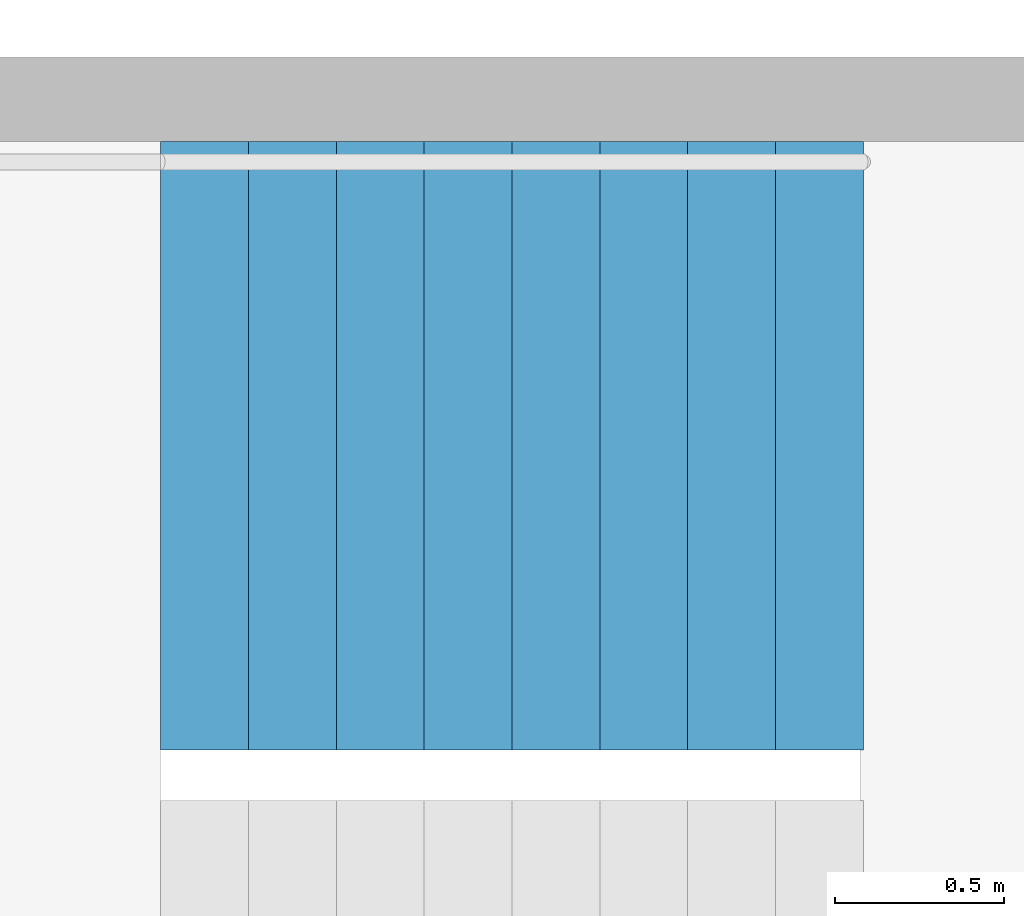
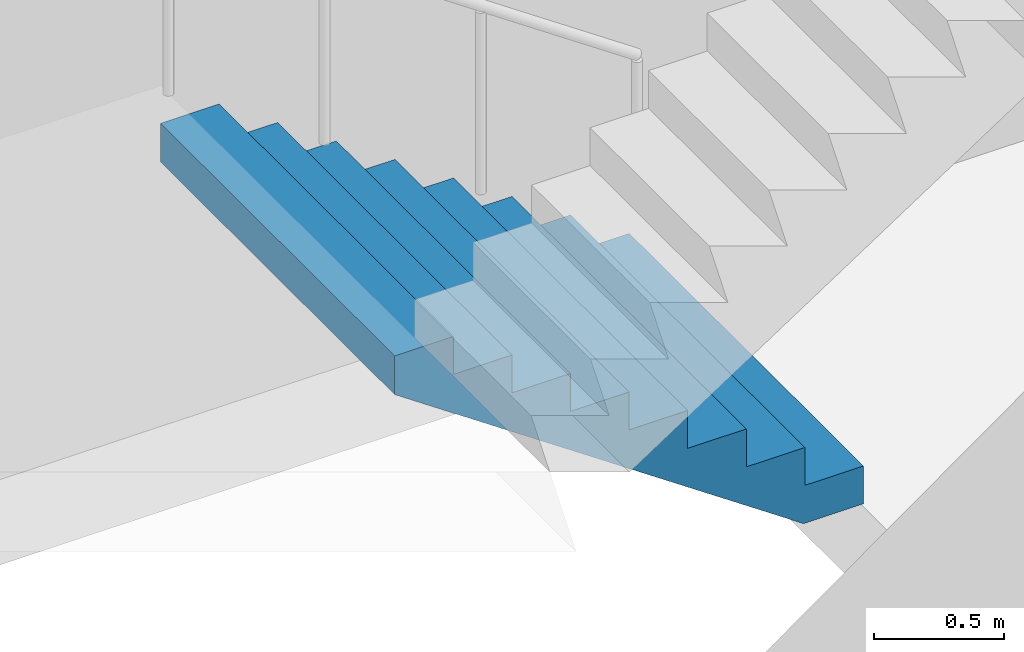
# One storey, part 22 of 29: 1 stair flight, 1 element without a shape of its own.
"""IFC4 building model written with IfcOpenShell, lengths in metres."""

from ifc_helpers import new_model, si_unit, direction, frame, origin, place, context, subcontext, project, spatial, triangles, material, type_object, element, aggregate, save


model = new_model("IFC4")

# Units and contexts
model_context = context("Model", 3, precision=1e-05, world=origin(), true_north=direction((0.0, 1.0)))
body_context = subcontext(model_context, "Body", "Model", "MODEL_VIEW")
ifc_project = project(units=[si_unit("LENGTHUNIT", "METRE"), si_unit("AREAUNIT", "SQUARE_METRE"), si_unit("VOLUMEUNIT", "CUBIC_METRE"), si_unit("PLANEANGLEUNIT", "RADIAN"), si_unit("MASSUNIT", "GRAM", prefix="KILO")], contexts=[model_context])

# Site, building, storey
site_placement = place(None, origin())
site = spatial("IfcSite", under=ifc_project, at=site_placement, CompositionType="ELEMENT")
building_placement = place(site_placement, origin())
building = spatial("IfcBuilding", under=site, at=building_placement, Name="Hakoniwa Tower and Hamabe Station Hall", CompositionType="ELEMENT")
storey_placement = place(building_placement, frame((0.0, 0.0, 97.800048828125)))
storey = spatial("IfcBuildingStorey", under=building, at=storey_placement, Name="L27", CompositionType="ELEMENT", Elevation=97.800048828125)

# Stair, stair flight
ifc_material_1 = material(Name="Concrete C40", Category="concrete")
stair_type = type_object("IfcStairType", Name="ESCAPE STAIR 1800", PredefinedType="HALF_TURN_STAIR", material=ifc_material_1)
stair_placement = place(storey_placement, origin())
stair = element("IfcStair", 1, at=stair_placement, inside=storey, type_object=stair_type, Name="Escape stair ST-2 L27", PredefinedType="HALF_TURN_STAIR")
ifc_material_2 = material(Name="Concrete C40", Category="concrete")
stair_flight_type = type_object("IfcStairFlightType", Name="STAIR FLIGHT 1800", PredefinedType="STRAIGHT", material=ifc_material_2)
stair_flight_placement = place(storey_placement, frame((-23.39990234375, -4.64990234375, 0.0), z_axis=(0.0, 0.0, 1.0), x_axis=(-1.0, 0.0, 0.0)))
stair_flight = element("IfcStairFlight", 2, at=stair_flight_placement, type_object=stair_flight_type, Name="ST-2 flight 1", NumberOfRisers=9, NumberOfTreads=8, PredefinedType="STRAIGHT", RiserHeight=0.177777778, TreadLength=0.26, context=body_context, shape_type="Tessellation", body=[
    triangles([(0.0, 0.89990234375, 0.0), (0.260009765625, 0.89990234375, 0.0), (0.265625, 0.89990234375, 0.0), (0.52001953125, 0.89990234375, 0.174072265625), (0.780029296875, 0.89990234375, 0.351806640625), (1.0400390625, 0.89990234375, 0.529541015625), (1.300048828125, 0.89990234375, 0.707275390625), (1.56005859375, 0.89990234375, 0.885009765625), (1.820068359375, 0.89990234375, 1.062744140625), (2.080078125, 0.89990234375, 1.24072265625), (2.080078125, 0.89990234375, 1.422119140625), (1.820068359375, 0.89990234375, 1.422119140625), (1.820068359375, 0.89990234375, 1.244384765625), (1.56005859375, 0.89990234375, 1.244384765625), (1.56005859375, 0.89990234375, 1.066650390625), (1.300048828125, 0.89990234375, 1.066650390625), (1.300048828125, 0.89990234375, 0.888916015625), (1.0400390625, 0.89990234375, 0.888916015625), (1.0400390625, 0.89990234375, 0.711181640625), (0.780029296875, 0.89990234375, 0.711181640625), (0.780029296875, 0.89990234375, 0.533447265625), (0.52001953125, 0.89990234375, 0.533447265625), (0.52001953125, 0.89990234375, 0.35546875), (0.265625, 0.89990234375, 0.35546875), (0.260009765625, 0.89990234375, 0.35546875), (0.260009765625, 0.89990234375, 0.177734375), (0.0, 0.89990234375, 0.177734375), (0.0, 0.06005859375, 0.0), (0.260009765625, 0.06005859375, 0.0), (0.265625, 0.06005859375, 0.0), (0.52001953125, 0.06005859375, 0.174072265625), (0.780029296875, 0.06005859375, 0.351806640625), (1.0400390625, 0.06005859375, 0.529541015625), (1.300048828125, 0.06005859375, 0.707275390625), (1.56005859375, 0.06005859375, 0.885009765625), (1.820068359375, 0.06005859375, 1.062744140625), (2.080078125, 0.06005859375, 1.24072265625), (2.080078125, 0.06005859375, 1.422119140625), (1.820068359375, 0.06005859375, 1.422119140625), (1.820068359375, 0.06005859375, 1.244384765625), (1.56005859375, 0.06005859375, 1.244384765625), (1.56005859375, 0.06005859375, 1.066650390625), (1.300048828125, 0.06005859375, 1.066650390625), (1.300048828125, 0.06005859375, 0.888916015625), (1.0400390625, 0.06005859375, 0.888916015625), (1.0400390625, 0.06005859375, 0.711181640625), (0.780029296875, 0.06005859375, 0.711181640625), (0.780029296875, 0.06005859375, 0.533447265625), (0.52001953125, 0.06005859375, 0.533447265625), (0.52001953125, 0.06005859375, 0.35546875), (0.265625, 0.06005859375, 0.35546875), (0.260009765625, 0.06005859375, 0.35546875), (0.260009765625, 0.06005859375, 0.177734375), (0.0, 0.06005859375, 0.177734375), (0.0, 0.04296875, 0.0), (0.260009765625, 0.04296875, 0.0), (0.265625, 0.04296875, 0.0), (0.52001953125, 0.04296875, 0.174072265625), (0.780029296875, 0.04296875, 0.351806640625), (1.0400390625, 0.04296875, 0.529541015625), (1.300048828125, 0.04296875, 0.707275390625), (1.56005859375, 0.04296875, 0.885009765625), (1.820068359375, 0.04296875, 1.062744140625), (2.080078125, 0.04296875, 1.24072265625), (2.080078125, 0.04296875, 1.422119140625), (1.820068359375, 0.04296875, 1.422119140625), (1.820068359375, 0.04296875, 1.244384765625), (1.56005859375, 0.04296875, 1.244384765625), (1.56005859375, 0.04296875, 1.066650390625), (1.300048828125, 0.04296875, 1.066650390625), (1.300048828125, 0.04296875, 0.888916015625), (1.0400390625, 0.04296875, 0.888916015625), (1.0400390625, 0.04296875, 0.711181640625), (0.780029296875, 0.04296875, 0.711181640625), (0.780029296875, 0.04296875, 0.533447265625), (0.52001953125, 0.04296875, 0.533447265625), (0.52001953125, 0.04296875, 0.35546875), (0.265625, 0.04296875, 0.35546875), (0.260009765625, 0.04296875, 0.35546875), (0.260009765625, 0.04296875, 0.177734375), (0.0, 0.04296875, 0.177734375), (0.0, 0.025634765625, 0.0), (0.260009765625, 0.025634765625, 0.0), (0.265625, 0.025634765625, 0.0), (0.52001953125, 0.025634765625, 0.174072265625), (0.780029296875, 0.025634765625, 0.351806640625), (1.0400390625, 0.025634765625, 0.529541015625), (1.300048828125, 0.025634765625, 0.707275390625), (1.56005859375, 0.025634765625, 0.885009765625), (1.820068359375, 0.025634765625, 1.062744140625), (2.080078125, 0.025634765625, 1.24072265625), (2.080078125, 0.025634765625, 1.422119140625), (1.820068359375, 0.025634765625, 1.422119140625), (1.820068359375, 0.025634765625, 1.244384765625), (1.56005859375, 0.025634765625, 1.244384765625), (1.56005859375, 0.025634765625, 1.066650390625), (1.300048828125, 0.025634765625, 1.066650390625), (1.300048828125, 0.025634765625, 0.888916015625), (1.0400390625, 0.025634765625, 0.888916015625), (1.0400390625, 0.025634765625, 0.711181640625), (0.780029296875, 0.025634765625, 0.711181640625), (0.780029296875, 0.025634765625, 0.533447265625), (0.52001953125, 0.025634765625, 0.533447265625), (0.52001953125, 0.025634765625, 0.35546875), (0.265625, 0.025634765625, 0.35546875), (0.260009765625, 0.025634765625, 0.35546875), (0.260009765625, 0.025634765625, 0.177734375), (0.0, 0.025634765625, 0.177734375), (0.0, 0.008544921875, 0.0), (0.260009765625, 0.008544921875, 0.0), (0.265625, 0.008544921875, 0.0), (0.52001953125, 0.008544921875, 0.174072265625), (0.780029296875, 0.008544921875, 0.351806640625), (1.0400390625, 0.008544921875, 0.529541015625), (1.300048828125, 0.008544921875, 0.707275390625), (1.56005859375, 0.008544921875, 0.885009765625), (1.820068359375, 0.008544921875, 1.062744140625), (2.080078125, 0.008544921875, 1.24072265625), (2.080078125, 0.008544921875, 1.422119140625), (1.820068359375, 0.008544921875, 1.422119140625), (1.820068359375, 0.008544921875, 1.244384765625), (1.56005859375, 0.008544921875, 1.244384765625), (1.56005859375, 0.008544921875, 1.066650390625), (1.300048828125, 0.008544921875, 1.066650390625), (1.300048828125, 0.008544921875, 0.888916015625), (1.0400390625, 0.008544921875, 0.888916015625), (1.0400390625, 0.008544921875, 0.711181640625), (0.780029296875, 0.008544921875, 0.711181640625), (0.780029296875, 0.008544921875, 0.533447265625), (0.52001953125, 0.008544921875, 0.533447265625), (0.52001953125, 0.008544921875, 0.35546875), (0.265625, 0.008544921875, 0.35546875), (0.260009765625, 0.008544921875, 0.35546875), (0.260009765625, 0.008544921875, 0.177734375), (0.0, 0.008544921875, 0.177734375), (0.0, -0.008544921875, 0.0), (0.260009765625, -0.008544921875, 0.0), (0.265625, -0.008544921875, 0.0), (0.52001953125, -0.008544921875, 0.174072265625), (0.780029296875, -0.008544921875, 0.351806640625), (1.0400390625, -0.008544921875, 0.529541015625), (1.300048828125, -0.008544921875, 0.707275390625), (1.56005859375, -0.008544921875, 0.885009765625), (1.820068359375, -0.008544921875, 1.062744140625), (2.080078125, -0.008544921875, 1.24072265625), (2.080078125, -0.008544921875, 1.422119140625), (1.820068359375, -0.008544921875, 1.422119140625), (1.820068359375, -0.008544921875, 1.244384765625), (1.56005859375, -0.008544921875, 1.244384765625), (1.56005859375, -0.008544921875, 1.066650390625), (1.300048828125, -0.008544921875, 1.066650390625), (1.300048828125, -0.008544921875, 0.888916015625), (1.0400390625, -0.008544921875, 0.888916015625), (1.0400390625, -0.008544921875, 0.711181640625), (0.780029296875, -0.008544921875, 0.711181640625), (0.780029296875, -0.008544921875, 0.533447265625), (0.52001953125, -0.008544921875, 0.533447265625), (0.52001953125, -0.008544921875, 0.35546875), (0.265625, -0.008544921875, 0.35546875), (0.260009765625, -0.008544921875, 0.35546875), (0.260009765625, -0.008544921875, 0.177734375), (0.0, -0.008544921875, 0.177734375), (0.0, -0.025634765625, 0.0), (0.260009765625, -0.025634765625, 0.0), (0.265625, -0.025634765625, 0.0), (0.52001953125, -0.025634765625, 0.174072265625), (0.780029296875, -0.025634765625, 0.351806640625), (1.0400390625, -0.025634765625, 0.529541015625), (1.300048828125, -0.025634765625, 0.707275390625), (1.56005859375, -0.025634765625, 0.885009765625), (1.820068359375, -0.025634765625, 1.062744140625), (2.080078125, -0.025634765625, 1.24072265625), (2.080078125, -0.025634765625, 1.422119140625), (1.820068359375, -0.025634765625, 1.422119140625), (1.820068359375, -0.025634765625, 1.244384765625), (1.56005859375, -0.025634765625, 1.244384765625), (1.56005859375, -0.025634765625, 1.066650390625), (1.300048828125, -0.025634765625, 1.066650390625), (1.300048828125, -0.025634765625, 0.888916015625), (1.0400390625, -0.025634765625, 0.888916015625), (1.0400390625, -0.025634765625, 0.711181640625), (0.780029296875, -0.025634765625, 0.711181640625), (0.780029296875, -0.025634765625, 0.533447265625), (0.52001953125, -0.025634765625, 0.533447265625), (0.52001953125, -0.025634765625, 0.35546875), (0.265625, -0.025634765625, 0.35546875), (0.260009765625, -0.025634765625, 0.35546875), (0.260009765625, -0.025634765625, 0.177734375), (0.0, -0.025634765625, 0.177734375), (0.0, -0.04296875, 0.0), (0.260009765625, -0.04296875, 0.0), (0.265625, -0.04296875, 0.0), (0.52001953125, -0.04296875, 0.174072265625), (0.780029296875, -0.04296875, 0.351806640625), (1.0400390625, -0.04296875, 0.529541015625), (1.300048828125, -0.04296875, 0.707275390625), (1.56005859375, -0.04296875, 0.885009765625), (1.820068359375, -0.04296875, 1.062744140625), (2.080078125, -0.04296875, 1.24072265625), (2.080078125, -0.04296875, 1.422119140625), (1.820068359375, -0.04296875, 1.422119140625), (1.820068359375, -0.04296875, 1.244384765625), (1.56005859375, -0.04296875, 1.244384765625), (1.56005859375, -0.04296875, 1.066650390625), (1.300048828125, -0.04296875, 1.066650390625), (1.300048828125, -0.04296875, 0.888916015625), (1.0400390625, -0.04296875, 0.888916015625), (1.0400390625, -0.04296875, 0.711181640625), (0.780029296875, -0.04296875, 0.711181640625), (0.780029296875, -0.04296875, 0.533447265625), (0.52001953125, -0.04296875, 0.533447265625), (0.52001953125, -0.04296875, 0.35546875), (0.265625, -0.04296875, 0.35546875), (0.260009765625, -0.04296875, 0.35546875), (0.260009765625, -0.04296875, 0.177734375), (0.0, -0.04296875, 0.177734375), (0.0, -0.06005859375, 0.0), (0.260009765625, -0.06005859375, 0.0), (0.265625, -0.06005859375, 0.0), (0.52001953125, -0.06005859375, 0.174072265625), (0.780029296875, -0.06005859375, 0.351806640625), (1.0400390625, -0.06005859375, 0.529541015625), (1.300048828125, -0.06005859375, 0.707275390625), (1.56005859375, -0.06005859375, 0.885009765625), (1.820068359375, -0.06005859375, 1.062744140625), (2.080078125, -0.06005859375, 1.24072265625), (2.080078125, -0.06005859375, 1.422119140625), (1.820068359375, -0.06005859375, 1.422119140625), (1.820068359375, -0.06005859375, 1.244384765625), (1.56005859375, -0.06005859375, 1.244384765625), (1.56005859375, -0.06005859375, 1.066650390625), (1.300048828125, -0.06005859375, 1.066650390625), (1.300048828125, -0.06005859375, 0.888916015625), (1.0400390625, -0.06005859375, 0.888916015625), (1.0400390625, -0.06005859375, 0.711181640625), (0.780029296875, -0.06005859375, 0.711181640625), (0.780029296875, -0.06005859375, 0.533447265625), (0.52001953125, -0.06005859375, 0.533447265625), (0.52001953125, -0.06005859375, 0.35546875), (0.265625, -0.06005859375, 0.35546875), (0.260009765625, -0.06005859375, 0.35546875), (0.260009765625, -0.06005859375, 0.177734375), (0.0, -0.06005859375, 0.177734375), (0.0, -0.89990234375, 0.0), (0.260009765625, -0.89990234375, 0.0), (0.265625, -0.89990234375, 0.0), (0.52001953125, -0.89990234375, 0.174072265625), (0.780029296875, -0.89990234375, 0.351806640625), (1.0400390625, -0.89990234375, 0.529541015625), (1.300048828125, -0.89990234375, 0.707275390625), (1.56005859375, -0.89990234375, 0.885009765625), (1.820068359375, -0.89990234375, 1.062744140625), (2.080078125, -0.89990234375, 1.24072265625), (2.080078125, -0.89990234375, 1.422119140625), (1.820068359375, -0.89990234375, 1.422119140625), (1.820068359375, -0.89990234375, 1.244384765625), (1.56005859375, -0.89990234375, 1.244384765625), (1.56005859375, -0.89990234375, 1.066650390625), (1.300048828125, -0.89990234375, 1.066650390625), (1.300048828125, -0.89990234375, 0.888916015625), (1.0400390625, -0.89990234375, 0.888916015625), (1.0400390625, -0.89990234375, 0.711181640625), (0.780029296875, -0.89990234375, 0.711181640625), (0.780029296875, -0.89990234375, 0.533447265625), (0.52001953125, -0.89990234375, 0.533447265625), (0.52001953125, -0.89990234375, 0.35546875), (0.265625, -0.89990234375, 0.35546875), (0.260009765625, -0.89990234375, 0.35546875), (0.260009765625, -0.89990234375, 0.177734375), (0.0, -0.89990234375, 0.177734375)], [[2, 27, 26], [245, 269, 270], [2, 1, 27], [245, 270, 244], [3, 25, 24], [246, 267, 268], [3, 26, 25], [246, 268, 269], [3, 2, 26], [246, 269, 245], [4, 24, 23], [247, 266, 267], [4, 3, 24], [247, 267, 246], [5, 22, 21], [248, 264, 265], [5, 23, 22], [248, 265, 266], [5, 4, 23], [248, 266, 247], [6, 20, 19], [249, 262, 263], [6, 21, 20], [249, 263, 264], [6, 5, 21], [249, 264, 248], [7, 18, 17], [250, 260, 261], [7, 19, 18], [250, 261, 262], [7, 6, 19], [250, 262, 249], [8, 16, 15], [251, 258, 259], [8, 17, 16], [251, 259, 260], [8, 7, 17], [251, 260, 250], [9, 14, 13], [252, 256, 257], [9, 15, 14], [252, 257, 258], [9, 8, 15], [252, 258, 251], [10, 12, 11], [253, 254, 255], [10, 13, 12], [253, 255, 256], [10, 9, 13], [253, 256, 252], [1, 2, 29], [1, 29, 28], [28, 29, 56], [28, 56, 55], [55, 56, 83], [55, 83, 82], [82, 83, 110], [82, 110, 109], [109, 110, 137], [109, 137, 136], [136, 137, 164], [136, 164, 163], [163, 164, 191], [163, 191, 190], [190, 191, 218], [190, 218, 217], [217, 218, 245], [217, 245, 244], [2, 3, 30], [2, 30, 29], [29, 30, 57], [29, 57, 56], [56, 57, 84], [56, 84, 83], [83, 84, 111], [83, 111, 110], [110, 111, 138], [110, 138, 137], [137, 138, 165], [137, 165, 164], [164, 165, 192], [164, 192, 191], [191, 192, 219], [191, 219, 218], [218, 219, 246], [218, 246, 245], [3, 4, 31], [3, 31, 30], [30, 31, 58], [30, 58, 57], [57, 58, 85], [57, 85, 84], [84, 85, 112], [84, 112, 111], [111, 112, 139], [111, 139, 138], [138, 139, 166], [138, 166, 165], [165, 166, 193], [165, 193, 192], [192, 193, 220], [192, 220, 219], [219, 220, 247], [219, 247, 246], [4, 5, 32], [4, 32, 31], [31, 32, 59], [31, 59, 58], [58, 59, 86], [58, 86, 85], [85, 86, 113], [85, 113, 112], [112, 113, 140], [112, 140, 139], [139, 140, 167], [139, 167, 166], [166, 167, 194], [166, 194, 193], [193, 194, 221], [193, 221, 220], [220, 221, 248], [220, 248, 247], [5, 6, 33], [5, 33, 32], [32, 33, 60], [32, 60, 59], [59, 60, 87], [59, 87, 86], [86, 87, 114], [86, 114, 113], [113, 114, 141], [113, 141, 140], [140, 141, 168], [140, 168, 167], [167, 168, 195], [167, 195, 194], [194, 195, 222], [194, 222, 221], [221, 222, 249], [221, 249, 248], [6, 7, 34], [6, 34, 33], [33, 34, 61], [33, 61, 60], [60, 61, 88], [60, 88, 87], [87, 88, 115], [87, 115, 114], [114, 115, 142], [114, 142, 141], [141, 142, 169], [141, 169, 168], [168, 169, 196], [168, 196, 195], [195, 196, 223], [195, 223, 222], [222, 223, 250], [222, 250, 249], [7, 8, 35], [7, 35, 34], [34, 35, 62], [34, 62, 61], [61, 62, 89], [61, 89, 88], [88, 89, 116], [88, 116, 115], [115, 116, 143], [115, 143, 142], [142, 143, 170], [142, 170, 169], [169, 170, 197], [169, 197, 196], [196, 197, 224], [196, 224, 223], [223, 224, 251], [223, 251, 250], [8, 9, 36], [8, 36, 35], [35, 36, 63], [35, 63, 62], [62, 63, 90], [62, 90, 89], [89, 90, 117], [89, 117, 116], [116, 117, 144], [116, 144, 143], [143, 144, 171], [143, 171, 170], [170, 171, 198], [170, 198, 197], [197, 198, 225], [197, 225, 224], [224, 225, 252], [224, 252, 251], [9, 10, 37], [9, 37, 36], [36, 37, 64], [36, 64, 63], [63, 64, 91], [63, 91, 90], [90, 91, 118], [90, 118, 117], [117, 118, 145], [117, 145, 144], [144, 145, 172], [144, 172, 171], [171, 172, 199], [171, 199, 198], [198, 199, 226], [198, 226, 225], [225, 226, 253], [225, 253, 252], [10, 11, 38], [10, 38, 37], [37, 38, 65], [37, 65, 64], [64, 65, 92], [64, 92, 91], [91, 92, 119], [91, 119, 118], [118, 119, 146], [118, 146, 145], [145, 146, 173], [145, 173, 172], [172, 173, 200], [172, 200, 199], [199, 200, 227], [199, 227, 226], [226, 227, 254], [226, 254, 253], [11, 12, 39], [11, 39, 38], [38, 39, 66], [38, 66, 65], [65, 66, 93], [65, 93, 92], [92, 93, 120], [92, 120, 119], [119, 120, 147], [119, 147, 146], [146, 147, 174], [146, 174, 173], [173, 174, 201], [173, 201, 200], [200, 201, 228], [200, 228, 227], [227, 228, 255], [227, 255, 254], [12, 13, 40], [12, 40, 39], [39, 40, 67], [39, 67, 66], [66, 67, 94], [66, 94, 93], [93, 94, 121], [93, 121, 120], [120, 121, 148], [120, 148, 147], [147, 148, 175], [147, 175, 174], [174, 175, 202], [174, 202, 201], [201, 202, 229], [201, 229, 228], [228, 229, 256], [228, 256, 255], [13, 14, 41], [13, 41, 40], [40, 41, 68], [40, 68, 67], [67, 68, 95], [67, 95, 94], [94, 95, 122], [94, 122, 121], [121, 122, 149], [121, 149, 148], [148, 149, 176], [148, 176, 175], [175, 176, 203], [175, 203, 202], [202, 203, 230], [202, 230, 229], [229, 230, 257], [229, 257, 256], [14, 15, 42], [14, 42, 41], [41, 42, 69], [41, 69, 68], [68, 69, 96], [68, 96, 95], [95, 96, 123], [95, 123, 122], [122, 123, 150], [122, 150, 149], [149, 150, 177], [149, 177, 176], [176, 177, 204], [176, 204, 203], [203, 204, 231], [203, 231, 230], [230, 231, 258], [230, 258, 257], [15, 16, 43], [15, 43, 42], [42, 43, 70], [42, 70, 69], [69, 70, 97], [69, 97, 96], [96, 97, 124], [96, 124, 123], [123, 124, 151], [123, 151, 150], [150, 151, 178], [150, 178, 177], [177, 178, 205], [177, 205, 204], [204, 205, 232], [204, 232, 231], [231, 232, 259], [231, 259, 258], [16, 17, 44], [16, 44, 43], [43, 44, 71], [43, 71, 70], [70, 71, 98], [70, 98, 97], [97, 98, 125], [97, 125, 124], [124, 125, 152], [124, 152, 151], [151, 152, 179], [151, 179, 178], [178, 179, 206], [178, 206, 205], [205, 206, 233], [205, 233, 232], [232, 233, 260], [232, 260, 259], [17, 18, 45], [17, 45, 44], [44, 45, 72], [44, 72, 71], [71, 72, 99], [71, 99, 98], [98, 99, 126], [98, 126, 125], [125, 126, 153], [125, 153, 152], [152, 153, 180], [152, 180, 179], [179, 180, 207], [179, 207, 206], [206, 207, 234], [206, 234, 233], [233, 234, 261], [233, 261, 260], [18, 19, 46], [18, 46, 45], [45, 46, 73], [45, 73, 72], [72, 73, 100], [72, 100, 99], [99, 100, 127], [99, 127, 126], [126, 127, 154], [126, 154, 153], [153, 154, 181], [153, 181, 180], [180, 181, 208], [180, 208, 207], [207, 208, 235], [207, 235, 234], [234, 235, 262], [234, 262, 261], [19, 20, 47], [19, 47, 46], [46, 47, 74], [46, 74, 73], [73, 74, 101], [73, 101, 100], [100, 101, 128], [100, 128, 127], [127, 128, 155], [127, 155, 154], [154, 155, 182], [154, 182, 181], [181, 182, 209], [181, 209, 208], [208, 209, 236], [208, 236, 235], [235, 236, 263], [235, 263, 262], [20, 21, 48], [20, 48, 47], [47, 48, 75], [47, 75, 74], [74, 75, 102], [74, 102, 101], [101, 102, 129], [101, 129, 128], [128, 129, 156], [128, 156, 155], [155, 156, 183], [155, 183, 182], [182, 183, 210], [182, 210, 209], [209, 210, 237], [209, 237, 236], [236, 237, 264], [236, 264, 263], [21, 22, 49], [21, 49, 48], [48, 49, 76], [48, 76, 75], [75, 76, 103], [75, 103, 102], [102, 103, 130], [102, 130, 129], [129, 130, 157], [129, 157, 156], [156, 157, 184], [156, 184, 183], [183, 184, 211], [183, 211, 210], [210, 211, 238], [210, 238, 237], [237, 238, 265], [237, 265, 264], [22, 23, 50], [22, 50, 49], [49, 50, 77], [49, 77, 76], [76, 77, 104], [76, 104, 103], [103, 104, 131], [103, 131, 130], [130, 131, 158], [130, 158, 157], [157, 158, 185], [157, 185, 184], [184, 185, 212], [184, 212, 211], [211, 212, 239], [211, 239, 238], [238, 239, 266], [238, 266, 265], [23, 24, 51], [23, 51, 50], [50, 51, 78], [50, 78, 77], [77, 78, 105], [77, 105, 104], [104, 105, 132], [104, 132, 131], [131, 132, 159], [131, 159, 158], [158, 159, 186], [158, 186, 185], [185, 186, 213], [185, 213, 212], [212, 213, 240], [212, 240, 239], [239, 240, 267], [239, 267, 266], [24, 25, 52], [24, 52, 51], [51, 52, 79], [51, 79, 78], [78, 79, 106], [78, 106, 105], [105, 106, 133], [105, 133, 132], [132, 133, 160], [132, 160, 159], [159, 160, 187], [159, 187, 186], [186, 187, 214], [186, 214, 213], [213, 214, 241], [213, 241, 240], [240, 241, 268], [240, 268, 267], [25, 26, 53], [25, 53, 52], [52, 53, 80], [52, 80, 79], [79, 80, 107], [79, 107, 106], [106, 107, 134], [106, 134, 133], [133, 134, 161], [133, 161, 160], [160, 161, 188], [160, 188, 187], [187, 188, 215], [187, 215, 214], [214, 215, 242], [214, 242, 241], [241, 242, 269], [241, 269, 268], [26, 27, 54], [26, 54, 53], [53, 54, 81], [53, 81, 80], [80, 81, 108], [80, 108, 107], [107, 108, 135], [107, 135, 134], [134, 135, 162], [134, 162, 161], [161, 162, 189], [161, 189, 188], [188, 189, 216], [188, 216, 215], [215, 216, 243], [215, 243, 242], [242, 243, 270], [242, 270, 269], [27, 1, 28], [27, 28, 54], [54, 28, 55], [54, 55, 81], [81, 55, 82], [81, 82, 108], [108, 82, 109], [108, 109, 135], [135, 109, 136], [135, 136, 162], [162, 136, 163], [162, 163, 189], [189, 163, 190], [189, 190, 216], [216, 190, 217], [216, 217, 243], [243, 217, 244], [243, 244, 270]], closed=True),
])
aggregate(stair, [stair_flight])

save(model, "model.ifc")
